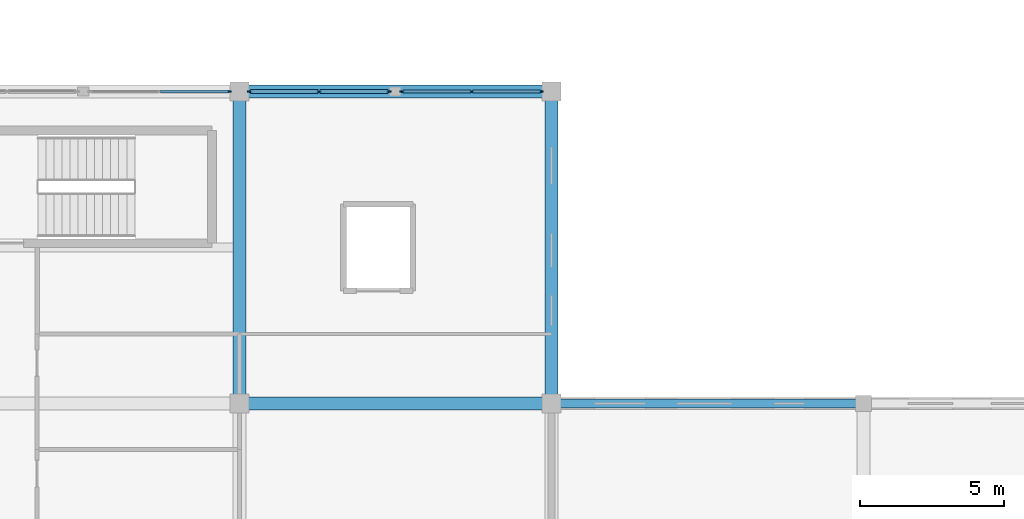
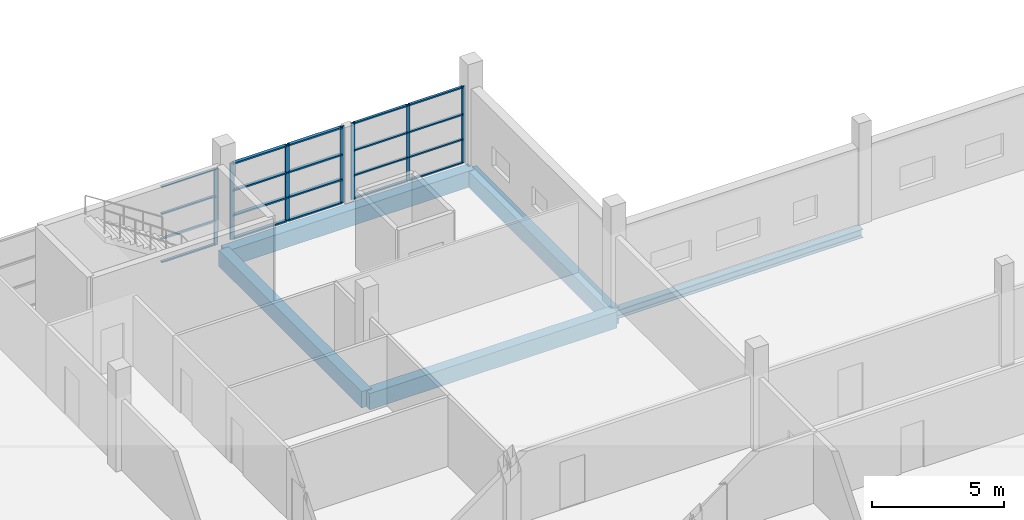
# One storey, part 9 of 24: 27 members, 5 beams, 3 elements without a shape of their own.
"""IFC4 building model written with IfcOpenShell, lengths in metres."""

from ifc_helpers import new_model, si_unit, direction, frame, origin, origin_2d, place, context, subcontext, project, spatial, rectangle, i_section, extrude, material, material_profile, profile_set, type_object, element, aggregate, save


model = new_model("IFC4")

# Units and contexts
model_context = context("Model", 3, precision=1e-05, world=origin(), true_north=direction((0.0, 1.0)))
body_context = subcontext(model_context, "Body", "Model", "MODEL_VIEW")
ifc_project = project(units=[si_unit("LENGTHUNIT", "METRE"), si_unit("AREAUNIT", "SQUARE_METRE"), si_unit("VOLUMEUNIT", "CUBIC_METRE"), si_unit("PLANEANGLEUNIT", "RADIAN"), si_unit("MASSUNIT", "GRAM", prefix="KILO")], contexts=[model_context])

# Site, building, storey
site_placement = place(None, origin())
site = spatial("IfcSite", under=ifc_project, at=site_placement, CompositionType="ELEMENT")
building_placement = place(site_placement, origin())
building = spatial("IfcBuilding", under=site, at=building_placement, Name="Zwinboog Wholesale Market", CompositionType="ELEMENT")
storey_placement = place(building_placement, frame((0.0, 0.0, 10.080078125)))
storey = spatial("IfcBuildingStorey", under=building, at=storey_placement, Name="L02", CompositionType="ELEMENT", Elevation=10.080078125)

# Beams
ifc_material_1 = material(Name="Precast concrete C45/55", Category="concrete")
ifc_material_profile_1 = material_profile(ifc_material_1, rectangle(XDim=0.449951171875, YDim=0.75, at=origin_2d()), Name="PC 450x750")
ifc_profile_set_1 = profile_set([ifc_material_profile_1], Name="Precast concrete C45/55")
beam_type_1 = type_object("IfcBeamType", Name="BT-04", PredefinedType="BEAM", material=ifc_profile_set_1)
for number, where, z_axis, x_axis, name in (
    (1, (162.0, 32.39990234375, -0.70703125), (1.0, 0.0, 0.0), (0.0, 1.0, 0.0), "BG-04 (BMG-L02-1620-0324-0944)"),
    (2, (162.0, 43.199951171875, -0.68017578125), (1.0, 0.0, 0.0), (0.0, 1.0, 0.0), "BG-04 (BMG-L02-1620-0432-0952)"),
    (3, (162.0, 32.39990234375, -0.68017578125), (0.0, 1.0, 0.0), (-1.0, 0.0, 0.0), "BG-04 (BMG-L02-1620-0324-0968)"),
    (4, (172.800048828125, 32.39990234375, -0.70703125), (0.0, 1.0, 0.0), (-1.0, 0.0, 0.0), "BG-04 (BMG-L02-1728-0324-0972)"),
):
    element("IfcBeam", number, at=place(storey_placement, frame(where, z_axis=z_axis, x_axis=x_axis)), inside=storey, type_object=beam_type_1, Name=name, PredefinedType="BEAM", context=body_context, shape_type="SweptSolid", body=[
        extrude(rectangle(XDim=0.449951171875, YDim=0.75, at=origin_2d()), origin(), (0.0, 0.0, 1.0), 10.800048828125),
    ])
ifc_material_2 = material(Name="Steel S355", Category="steel")
ifc_material_profile_2 = material_profile(ifc_material_2, i_section(OverallWidth=0.300048828125, OverallDepth=0.39990234375, WebThickness=0.013427734375, FlangeThickness=0.02392578125, FilletRadius=0.027099609375, at=origin_2d()), Name="HEB 400")
ifc_profile_set_2 = profile_set([ifc_material_profile_2], Name="Steel S355")
beam_type_2 = type_object("IfcBeamType", Name="BT-15", PredefinedType="BEAM", material=ifc_profile_set_2)
beam_placement = place(storey_placement, frame((172.800048828125, 32.39990234375, -0.531982421875), z_axis=(1.0, 0.0, 0.0), x_axis=(0.0, 1.0, 0.0)))
element("IfcBeam", 5, at=beam_placement, inside=storey, type_object=beam_type_2, Name="SB-02 (BMG-L02-1728-0324-0945)", PredefinedType="BEAM", context=body_context, shape_type="SweptSolid", body=[
    extrude(i_section(OverallWidth=0.300048828125, OverallDepth=0.39990234375, WebThickness=0.013427734375, FlangeThickness=0.02392578125, FilletRadius=0.027099609375, at=origin_2d()), origin(), (0.0, 0.0, 1.0), 10.800048828125),
])

# Curtain wall, members
ifc_material_3 = material(Name="Aluminium thermally broken curtain wall", Category="aluminium")
curtain_wall_type_1 = type_object("IfcCurtainWallType", Name="CWT-HALL-24", PredefinedType="USERDEFINED", material=ifc_material_3)
curtain_wall_1_placement = place(storey_placement, origin())
curtain_wall_1 = element("IfcCurtainWall", 6, at=curtain_wall_1_placement, inside=storey, type_object=curtain_wall_type_1, Name="CW-03 (CW-L02-165)", ObjectType="UNITIZED_CURTAIN_WALL", PredefinedType="USERDEFINED")
ifc_material_4 = material(Name="Aluminium EN AW-6060", Category="aluminium")
ifc_material_profile_3 = material_profile(ifc_material_4, rectangle(XDim=0.06494140625, YDim=0.179931640625, at=origin_2d()), Name="AL 65x180")
ifc_profile_set_3 = profile_set([ifc_material_profile_3], Name="Aluminium EN AW-6060")
member_type_1 = type_object("IfcMemberType", Name="CWM-65x180", PredefinedType="MULLION", material=ifc_profile_set_3)
member_1_placement = place(storey_placement, frame((162.3525390625, 43.199951171875, 0.0), z_axis=(0.0, 0.0, 1.0), x_axis=(0.0, 1.0, 0.0)))
member_1 = element("IfcMember", 7, at=member_1_placement, type_object=member_type_1, Name="CW-03 mullion 1", PredefinedType="MULLION", context=body_context, shape_type="SweptSolid", body=[
    extrude(rectangle(XDim=0.06494140625, YDim=0.179931640625, at=origin_2d()), origin(), (0.0, 0.0, 1.0), 3.530029296875),
])
member_2_placement = place(storey_placement, frame((164.760009765625, 43.199951171875, 0.0), z_axis=(0.0, 0.0, 1.0), x_axis=(0.0, 1.0, 0.0)))
member_2 = element("IfcMember", 8, at=member_2_placement, type_object=member_type_1, Name="CW-03 mullion 2", PredefinedType="MULLION", context=body_context, shape_type="SweptSolid", body=[
    extrude(rectangle(XDim=0.06494140625, YDim=0.179931640625, at=origin_2d()), origin(), (0.0, 0.0, 1.0), 3.530029296875),
])
member_3_placement = place(storey_placement, frame((167.16748046875, 43.199951171875, 0.0), z_axis=(0.0, 0.0, 1.0), x_axis=(0.0, 1.0, 0.0)))
member_3 = element("IfcMember", 9, at=member_3_placement, type_object=member_type_1, Name="CW-03 mullion 3", PredefinedType="MULLION", context=body_context, shape_type="SweptSolid", body=[
    extrude(rectangle(XDim=0.06494140625, YDim=0.179931640625, at=origin_2d()), origin(), (0.0, 0.0, 1.0), 3.530029296875),
])

# Curtain wall, member
curtain_wall_type_2 = type_object("IfcCurtainWallType", Name="CWT-STALL-20", PredefinedType="USERDEFINED", material=ifc_material_3)
curtain_wall_2_placement = place(storey_placement, origin())
curtain_wall_2 = element("IfcCurtainWall", 10, at=curtain_wall_2_placement, inside=storey, type_object=curtain_wall_type_2, Name="CW-02 (CW-L02-164)", ObjectType="STOREFRONT_GLAZING", PredefinedType="USERDEFINED")
ifc_material_profile_4 = material_profile(ifc_material_4, rectangle(XDim=0.06005859375, YDim=0.14990234375, at=origin_2d()), Name="AL 60x150")
ifc_profile_set_4 = profile_set([ifc_material_profile_4], Name="Aluminium EN AW-6060")
member_type_2 = type_object("IfcMemberType", Name="CWM-60x150", PredefinedType="MULLION", material=ifc_profile_set_4)
member_4_placement = place(storey_placement, frame((161.64990234375, 43.199951171875, 0.0), z_axis=(0.0, 0.0, 1.0), x_axis=(0.0, 1.0, 0.0)))
member_4 = element("IfcMember", 11, at=member_4_placement, type_object=member_type_2, Name="CW-02 mullion 3", PredefinedType="MULLION", context=body_context, shape_type="SweptSolid", body=[
    extrude(rectangle(XDim=0.06005859375, YDim=0.14990234375, at=origin_2d()), origin(), (0.0, 0.0, 1.0), 3.530029296875),
])

# Curtain wall, members
curtain_wall_type_3 = type_object("IfcCurtainWallType", Name="CWT-GAL-16", PredefinedType="USERDEFINED", material=ifc_material_3)
curtain_wall_3_placement = place(storey_placement, origin())
curtain_wall_3 = element("IfcCurtainWall", 12, at=curtain_wall_3_placement, inside=storey, type_object=curtain_wall_type_3, Name="CW-04 (CW-L02-166)", ObjectType="UNITIZED_CURTAIN_WALL", PredefinedType="USERDEFINED")
member_5_placement = place(storey_placement, frame((167.6298828125, 43.199951171875, 0.0), z_axis=(0.0, 0.0, 1.0), x_axis=(0.0, 1.0, 0.0)))
member_5 = element("IfcMember", 13, at=member_5_placement, type_object=member_type_2, Name="CW-04 mullion 1", PredefinedType="MULLION", context=body_context, shape_type="SweptSolid", body=[
    extrude(rectangle(XDim=0.06005859375, YDim=0.14990234375, at=origin_2d()), origin(), (0.0, 0.0, 1.0), 3.530029296875),
])
member_6_placement = place(storey_placement, frame((170.0400390625, 43.199951171875, 0.0), z_axis=(0.0, 0.0, 1.0), x_axis=(0.0, 1.0, 0.0)))
member_6 = element("IfcMember", 14, at=member_6_placement, type_object=member_type_2, Name="CW-04 mullion 2", PredefinedType="MULLION", context=body_context, shape_type="SweptSolid", body=[
    extrude(rectangle(XDim=0.06005859375, YDim=0.14990234375, at=origin_2d()), origin(), (0.0, 0.0, 1.0), 3.530029296875),
])
member_7_placement = place(storey_placement, frame((172.449951171875, 43.199951171875, 0.0), z_axis=(0.0, 0.0, 1.0), x_axis=(0.0, 1.0, 0.0)))
member_7 = element("IfcMember", 15, at=member_7_placement, type_object=member_type_2, Name="CW-04 mullion 3", PredefinedType="MULLION", context=body_context, shape_type="SweptSolid", body=[
    extrude(rectangle(XDim=0.06005859375, YDim=0.14990234375, at=origin_2d()), origin(), (0.0, 0.0, 1.0), 3.530029296875),
])

# Member
ifc_material_profile_5 = material_profile(ifc_material_4, rectangle(XDim=0.139892578125, YDim=0.06494140625, at=origin_2d()), Name="AL 65x140")
ifc_profile_set_5 = profile_set([ifc_material_profile_5], Name="Aluminium EN AW-6060")
member_type_3 = type_object("IfcMemberType", Name="CWT-65x140", PredefinedType="USERDEFINED", material=ifc_profile_set_5)
member_8_placement = place(storey_placement, frame((162.385009765625, 43.199951171875, 0.032470703125), z_axis=(1.0, 0.0, 0.0), x_axis=(0.0, 1.0, 0.0)))
member_8 = element("IfcMember", 16, at=member_8_placement, type_object=member_type_3, Name="CW-03 transom 1.1", ObjectType="TRANSOM", PredefinedType="USERDEFINED", context=body_context, shape_type="SweptSolid", body=[
    extrude(rectangle(XDim=0.139892578125, YDim=0.06494140625, at=origin_2d()), origin(), (0.0, 0.0, 1.0), 2.342529296875),
])

member_9_placement = place(storey_placement, frame((162.385009765625, 43.199951171875, 1.099853515625), z_axis=(1.0, 0.0, 0.0), x_axis=(0.0, 1.0, 0.0)))
member_9 = element("IfcMember", 17, at=member_9_placement, type_object=member_type_3, Name="CW-03 transom 1.2", ObjectType="TRANSOM", PredefinedType="USERDEFINED", context=body_context, shape_type="SweptSolid", body=[
    extrude(rectangle(XDim=0.139892578125, YDim=0.06494140625, at=origin_2d()), origin(), (0.0, 0.0, 1.0), 2.342529296875),
])

member_10_placement = place(storey_placement, frame((162.385009765625, 43.199951171875, 2.25), z_axis=(1.0, 0.0, 0.0), x_axis=(0.0, 1.0, 0.0)))
member_10 = element("IfcMember", 18, at=member_10_placement, type_object=member_type_3, Name="CW-03 transom 1.3", ObjectType="TRANSOM", PredefinedType="USERDEFINED", context=body_context, shape_type="SweptSolid", body=[
    extrude(rectangle(XDim=0.139892578125, YDim=0.06494140625, at=origin_2d()), origin(), (0.0, 0.0, 1.0), 2.342529296875),
])

member_11_placement = place(storey_placement, frame((162.385009765625, 43.199951171875, 3.497314453125), z_axis=(1.0, 0.0, 0.0), x_axis=(0.0, 1.0, 0.0)))
member_11 = element("IfcMember", 19, at=member_11_placement, type_object=member_type_3, Name="CW-03 transom 1.4", ObjectType="TRANSOM", PredefinedType="USERDEFINED", context=body_context, shape_type="SweptSolid", body=[
    extrude(rectangle(XDim=0.139892578125, YDim=0.06494140625, at=origin_2d()), origin(), (0.0, 0.0, 1.0), 2.342529296875),
])

member_12_placement = place(storey_placement, frame((164.79248046875, 43.199951171875, 0.032470703125), z_axis=(1.0, 0.0, 0.0), x_axis=(0.0, 1.0, 0.0)))
member_12 = element("IfcMember", 20, at=member_12_placement, type_object=member_type_3, Name="CW-03 transom 2.1", ObjectType="TRANSOM", PredefinedType="USERDEFINED", context=body_context, shape_type="SweptSolid", body=[
    extrude(rectangle(XDim=0.139892578125, YDim=0.06494140625, at=origin_2d()), origin(), (0.0, 0.0, 1.0), 2.342529296875),
])

member_13_placement = place(storey_placement, frame((164.79248046875, 43.199951171875, 1.099853515625), z_axis=(1.0, 0.0, 0.0), x_axis=(0.0, 1.0, 0.0)))
member_13 = element("IfcMember", 21, at=member_13_placement, type_object=member_type_3, Name="CW-03 transom 2.2", ObjectType="TRANSOM", PredefinedType="USERDEFINED", context=body_context, shape_type="SweptSolid", body=[
    extrude(rectangle(XDim=0.139892578125, YDim=0.06494140625, at=origin_2d()), origin(), (0.0, 0.0, 1.0), 2.342529296875),
])

member_14_placement = place(storey_placement, frame((164.79248046875, 43.199951171875, 2.25), z_axis=(1.0, 0.0, 0.0), x_axis=(0.0, 1.0, 0.0)))
member_14 = element("IfcMember", 22, at=member_14_placement, type_object=member_type_3, Name="CW-03 transom 2.3", ObjectType="TRANSOM", PredefinedType="USERDEFINED", context=body_context, shape_type="SweptSolid", body=[
    extrude(rectangle(XDim=0.139892578125, YDim=0.06494140625, at=origin_2d()), origin(), (0.0, 0.0, 1.0), 2.342529296875),
])

member_15_placement = place(storey_placement, frame((164.79248046875, 43.199951171875, 3.497314453125), z_axis=(1.0, 0.0, 0.0), x_axis=(0.0, 1.0, 0.0)))
member_15 = element("IfcMember", 23, at=member_15_placement, type_object=member_type_3, Name="CW-03 transom 2.4", ObjectType="TRANSOM", PredefinedType="USERDEFINED", context=body_context, shape_type="SweptSolid", body=[
    extrude(rectangle(XDim=0.139892578125, YDim=0.06494140625, at=origin_2d()), origin(), (0.0, 0.0, 1.0), 2.342529296875),
])

aggregate(curtain_wall_1, [member_1, member_2, member_3, member_8, member_9, member_10, member_11, member_12, member_13, member_14, member_15])

ifc_material_profile_6 = material_profile(ifc_material_4, rectangle(XDim=0.110107421875, YDim=0.06005859375, at=origin_2d()), Name="AL 60x110")
ifc_profile_set_6 = profile_set([ifc_material_profile_6], Name="Aluminium EN AW-6060")
member_type_4 = type_object("IfcMemberType", Name="CWT-60x110", PredefinedType="USERDEFINED", material=ifc_profile_set_6)
member_16_placement = place(storey_placement, frame((159.27001953125, 43.199951171875, 0.030029296875), z_axis=(1.0, 0.0, 0.0), x_axis=(0.0, 1.0, 0.0)))
member_16 = element("IfcMember", 24, at=member_16_placement, type_object=member_type_4, Name="CW-02 transom 2.1", ObjectType="TRANSOM", PredefinedType="USERDEFINED", context=body_context, shape_type="SweptSolid", body=[
    extrude(rectangle(XDim=0.110107421875, YDim=0.06005859375, at=origin_2d()), origin(), (0.0, 0.0, 1.0), 2.35009765625),
])

member_17_placement = place(storey_placement, frame((159.27001953125, 43.199951171875, 1.099853515625), z_axis=(1.0, 0.0, 0.0), x_axis=(0.0, 1.0, 0.0)))
member_17 = element("IfcMember", 25, at=member_17_placement, type_object=member_type_4, Name="CW-02 transom 2.2", ObjectType="TRANSOM", PredefinedType="USERDEFINED", context=body_context, shape_type="SweptSolid", body=[
    extrude(rectangle(XDim=0.110107421875, YDim=0.06005859375, at=origin_2d()), origin(), (0.0, 0.0, 1.0), 2.35009765625),
])

member_18_placement = place(storey_placement, frame((159.27001953125, 43.199951171875, 2.25), z_axis=(1.0, 0.0, 0.0), x_axis=(0.0, 1.0, 0.0)))
member_18 = element("IfcMember", 26, at=member_18_placement, type_object=member_type_4, Name="CW-02 transom 2.3", ObjectType="TRANSOM", PredefinedType="USERDEFINED", context=body_context, shape_type="SweptSolid", body=[
    extrude(rectangle(XDim=0.110107421875, YDim=0.06005859375, at=origin_2d()), origin(), (0.0, 0.0, 1.0), 2.35009765625),
])

member_19_placement = place(storey_placement, frame((159.27001953125, 43.199951171875, 3.5), z_axis=(1.0, 0.0, 0.0), x_axis=(0.0, 1.0, 0.0)))
member_19 = element("IfcMember", 27, at=member_19_placement, type_object=member_type_4, Name="CW-02 transom 2.4", ObjectType="TRANSOM", PredefinedType="USERDEFINED", context=body_context, shape_type="SweptSolid", body=[
    extrude(rectangle(XDim=0.110107421875, YDim=0.06005859375, at=origin_2d()), origin(), (0.0, 0.0, 1.0), 2.35009765625),
])

aggregate(curtain_wall_2, [member_4, member_16, member_17, member_18, member_19])

member_20_placement = place(storey_placement, frame((167.659912109375, 43.199951171875, 0.030029296875), z_axis=(1.0, 0.0, 0.0), x_axis=(0.0, 1.0, 0.0)))
member_20 = element("IfcMember", 28, at=member_20_placement, type_object=member_type_4, Name="CW-04 transom 1.1", ObjectType="TRANSOM", PredefinedType="USERDEFINED", context=body_context, shape_type="SweptSolid", body=[
    extrude(rectangle(XDim=0.110107421875, YDim=0.06005859375, at=origin_2d()), origin(), (0.0, 0.0, 1.0), 2.35009765625),
])

member_21_placement = place(storey_placement, frame((167.659912109375, 43.199951171875, 1.099853515625), z_axis=(1.0, 0.0, 0.0), x_axis=(0.0, 1.0, 0.0)))
member_21 = element("IfcMember", 29, at=member_21_placement, type_object=member_type_4, Name="CW-04 transom 1.2", ObjectType="TRANSOM", PredefinedType="USERDEFINED", context=body_context, shape_type="SweptSolid", body=[
    extrude(rectangle(XDim=0.110107421875, YDim=0.06005859375, at=origin_2d()), origin(), (0.0, 0.0, 1.0), 2.35009765625),
])

member_22_placement = place(storey_placement, frame((167.659912109375, 43.199951171875, 2.25), z_axis=(1.0, 0.0, 0.0), x_axis=(0.0, 1.0, 0.0)))
member_22 = element("IfcMember", 30, at=member_22_placement, type_object=member_type_4, Name="CW-04 transom 1.3", ObjectType="TRANSOM", PredefinedType="USERDEFINED", context=body_context, shape_type="SweptSolid", body=[
    extrude(rectangle(XDim=0.110107421875, YDim=0.06005859375, at=origin_2d()), origin(), (0.0, 0.0, 1.0), 2.35009765625),
])

member_23_placement = place(storey_placement, frame((167.659912109375, 43.199951171875, 3.5), z_axis=(1.0, 0.0, 0.0), x_axis=(0.0, 1.0, 0.0)))
member_23 = element("IfcMember", 31, at=member_23_placement, type_object=member_type_4, Name="CW-04 transom 1.4", ObjectType="TRANSOM", PredefinedType="USERDEFINED", context=body_context, shape_type="SweptSolid", body=[
    extrude(rectangle(XDim=0.110107421875, YDim=0.06005859375, at=origin_2d()), origin(), (0.0, 0.0, 1.0), 2.35009765625),
])

member_24_placement = place(storey_placement, frame((170.070068359375, 43.199951171875, 0.030029296875), z_axis=(1.0, 0.0, 0.0), x_axis=(0.0, 1.0, 0.0)))
member_24 = element("IfcMember", 32, at=member_24_placement, type_object=member_type_4, Name="CW-04 transom 2.1", ObjectType="TRANSOM", PredefinedType="USERDEFINED", context=body_context, shape_type="SweptSolid", body=[
    extrude(rectangle(XDim=0.110107421875, YDim=0.06005859375, at=origin_2d()), origin(), (0.0, 0.0, 1.0), 2.349853515625),
])

member_25_placement = place(storey_placement, frame((170.070068359375, 43.199951171875, 1.099853515625), z_axis=(1.0, 0.0, 0.0), x_axis=(0.0, 1.0, 0.0)))
member_25 = element("IfcMember", 33, at=member_25_placement, type_object=member_type_4, Name="CW-04 transom 2.2", ObjectType="TRANSOM", PredefinedType="USERDEFINED", context=body_context, shape_type="SweptSolid", body=[
    extrude(rectangle(XDim=0.110107421875, YDim=0.06005859375, at=origin_2d()), origin(), (0.0, 0.0, 1.0), 2.349853515625),
])

member_26_placement = place(storey_placement, frame((170.070068359375, 43.199951171875, 2.25), z_axis=(1.0, 0.0, 0.0), x_axis=(0.0, 1.0, 0.0)))
member_26 = element("IfcMember", 34, at=member_26_placement, type_object=member_type_4, Name="CW-04 transom 2.3", ObjectType="TRANSOM", PredefinedType="USERDEFINED", context=body_context, shape_type="SweptSolid", body=[
    extrude(rectangle(XDim=0.110107421875, YDim=0.06005859375, at=origin_2d()), origin(), (0.0, 0.0, 1.0), 2.349853515625),
])

member_27_placement = place(storey_placement, frame((170.070068359375, 43.199951171875, 3.5), z_axis=(1.0, 0.0, 0.0), x_axis=(0.0, 1.0, 0.0)))
member_27 = element("IfcMember", 35, at=member_27_placement, type_object=member_type_4, Name="CW-04 transom 2.4", ObjectType="TRANSOM", PredefinedType="USERDEFINED", context=body_context, shape_type="SweptSolid", body=[
    extrude(rectangle(XDim=0.110107421875, YDim=0.06005859375, at=origin_2d()), origin(), (0.0, 0.0, 1.0), 2.349853515625),
])

aggregate(curtain_wall_3, [member_5, member_6, member_7, member_20, member_21, member_22, member_23, member_24, member_25, member_26, member_27])

save(model, "model.ifc")
